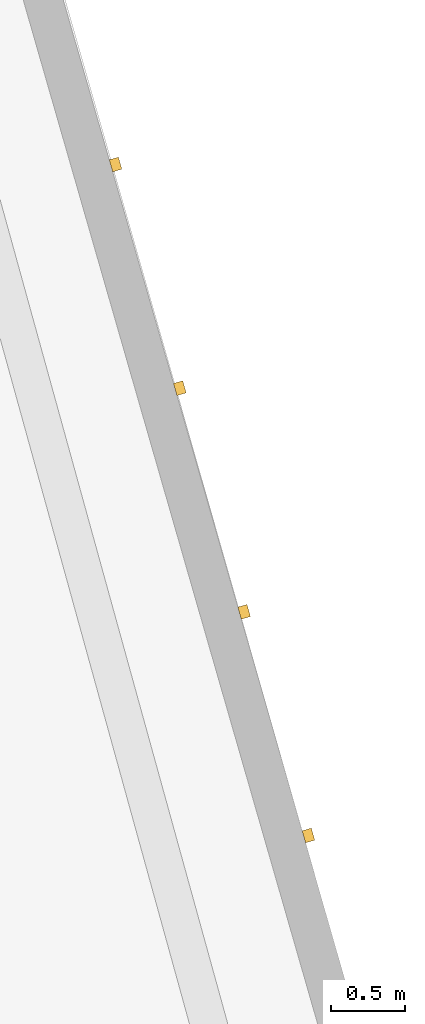
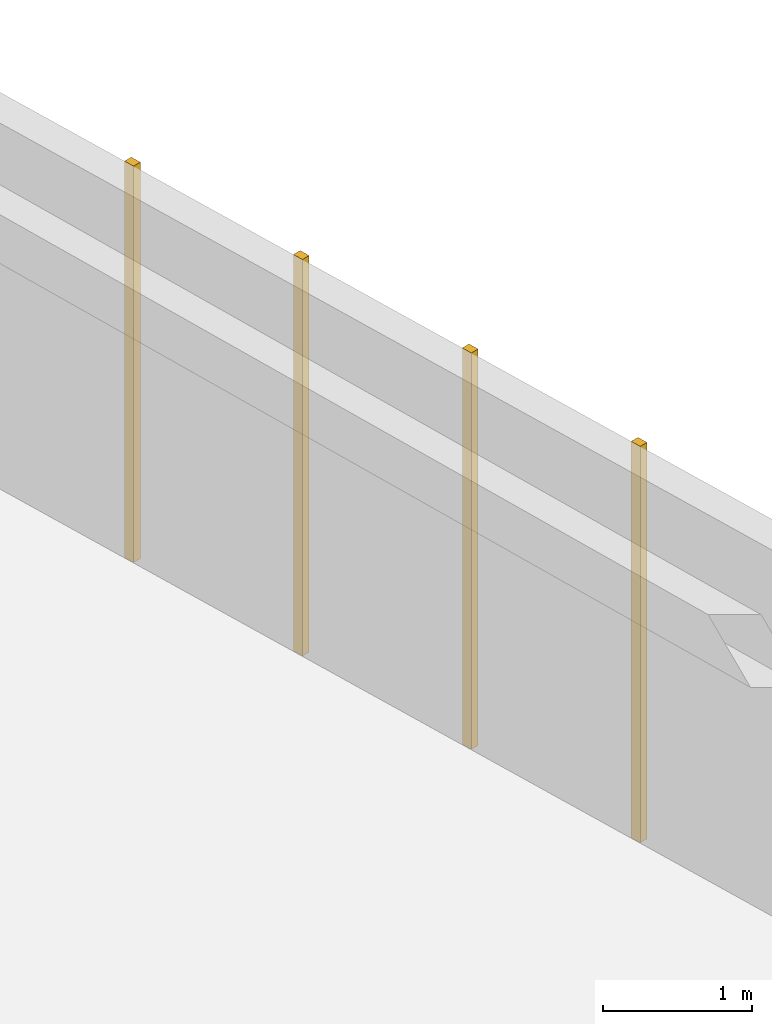
# One storey, part 127 of 127: 4 coverings.
"""IFC4 building model written with IfcOpenShell, lengths in metres."""

from ifc_helpers import new_model, si_unit, direction, frame, origin, origin_2d, place, context, subcontext, project, spatial, rectangle, extrude, material, layer, layer_set, type_object, element, save


model = new_model("IFC4")

# Units and contexts
model_context = context("Model", 3, precision=1e-05, world=origin(), true_north=direction((0.0, 1.0)))
body_context = subcontext(model_context, "Body", "Model", "MODEL_VIEW")
ifc_project = project(units=[si_unit("LENGTHUNIT", "METRE"), si_unit("AREAUNIT", "SQUARE_METRE"), si_unit("VOLUMEUNIT", "CUBIC_METRE"), si_unit("PLANEANGLEUNIT", "RADIAN"), si_unit("MASSUNIT", "GRAM", prefix="KILO")], contexts=[model_context])

# Site, building, storey
site_placement = place(None, origin())
site = spatial("IfcSite", under=ifc_project, at=site_placement, CompositionType="ELEMENT")
building_placement = place(site_placement, origin())
building = spatial("IfcBuilding", under=site, at=building_placement, Name="Kestramere Prow Commons", CompositionType="ELEMENT")
storey_placement = place(building_placement, frame((0.0, 0.0, 8.39990234375)))
storey = spatial("IfcBuildingStorey", under=building, at=storey_placement, Name="L02", CompositionType="ELEMENT", Elevation=8.39990234375)

# Coverings
ifc_material = material(Name="Weathered Zinc-Titanium Standing-Seam Cladding")
ifc_layer = layer(ifc_material, 0.074951171875)
ifc_layer_set = layer_set([ifc_layer], Name="Weathered Zinc-Titanium Standing-Seam Cladding")
covering_type = type_object("IfcCoveringType", Name="COV-CLAD-SEAM", PredefinedType="CLADDING", material=ifc_layer_set)
for number, where, z_axis, x_axis, name in (
    (1, (163.131103515625, 100.7021484375, -0.25), (0.0, 0.0, 1.0), (0.27631844013, -0.961066136977, 0.0), "EW-B-L02-PRW-N Standing-Seam Rib 6"),
    (2, (163.56640625, 99.18798828125, -0.25), (0.0, 0.0, 1.0), (0.27631844013, -0.961066136977, 0.0), "EW-B-L02-PRW-N Standing-Seam Rib 7"),
    (3, (164.001708984375, 97.673583984375, -0.25), (0.0, 0.0, 1.0), (0.27631844013, -0.961066136977, 0.0), "EW-B-L02-PRW-N Standing-Seam Rib 8"),
    (4, (164.437255859375, 96.159423828125, -0.25), (0.0, 0.0, 1.0), (0.27631844013, -0.961066136977, 0.0), "EW-B-L02-PRW-N Standing-Seam Rib 9"),
):
    element("IfcCovering", number, at=place(storey_placement, frame(where, z_axis=z_axis, x_axis=x_axis)), inside=storey, type_object=covering_type, Name=name, PredefinedType="CLADDING", context=body_context, shape_type="SweptSolid", body=[
        extrude(rectangle(XDim=0.0849609375, YDim=0.06494140625, at=origin_2d()), origin(), (0.0, 0.0, 1.0), 3.25),
    ])

save(model, "model.ifc")
